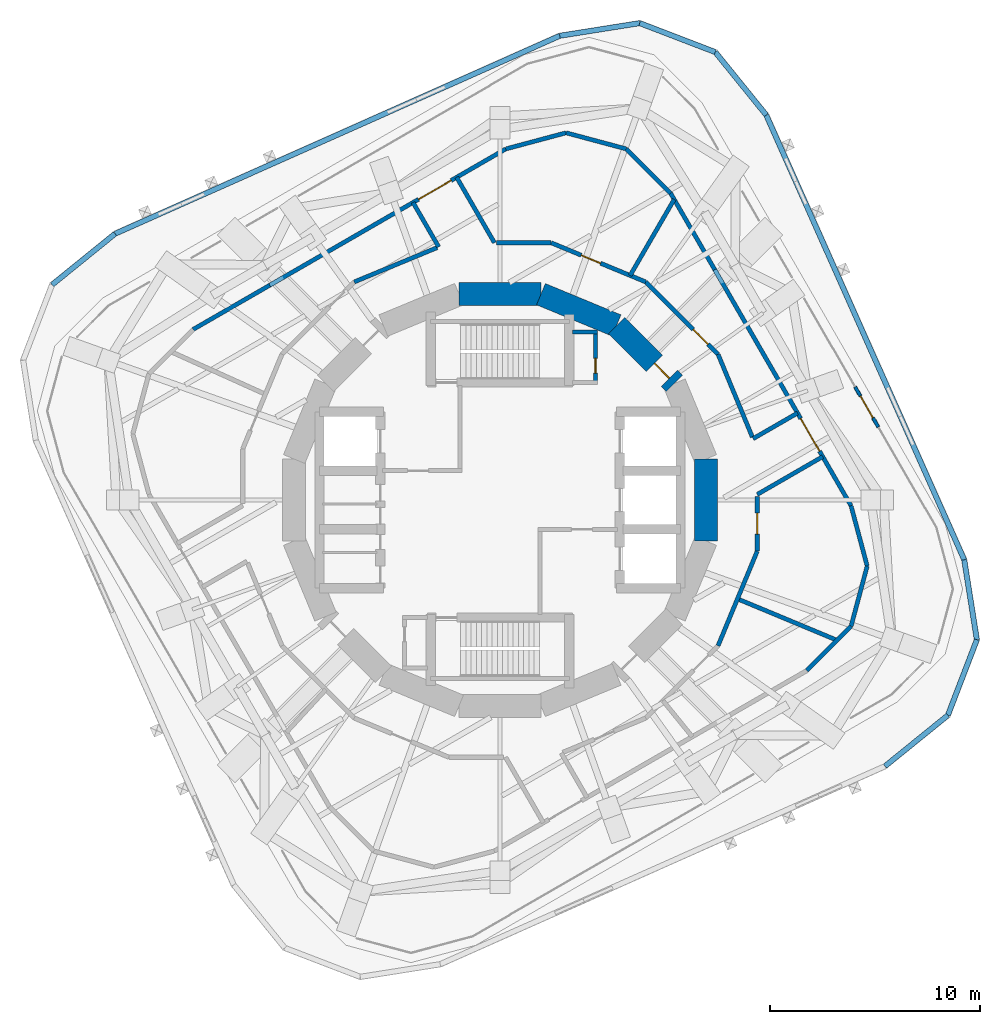
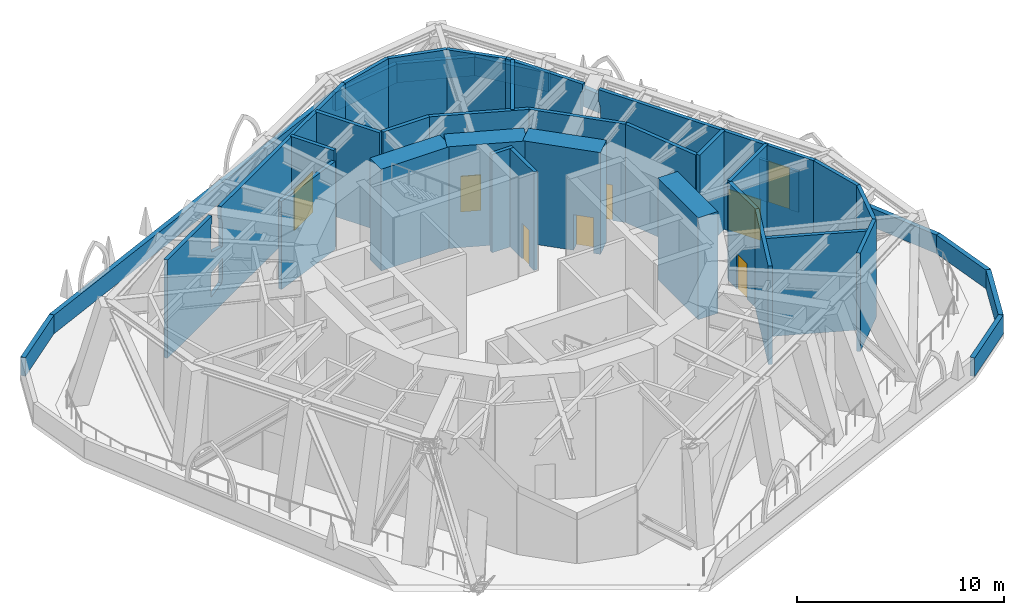
# One storey, part 6 of 10: 37 walls, 8 doors, 16 openings.
"""IFC4 building model written with IfcOpenShell, lengths in metres."""

from ifc_helpers import new_model, si_unit, direction, frame, frame_2d, origin, place, context, subcontext, project, spatial, polyline, rectangle, outline, extrude, material, layer, layer_set, type_object, element, fill, save


model = new_model("IFC4")

# Units and contexts
model_context = context("Model", 3, precision=1e-05, world=origin(), true_north=direction((0.0, 1.0)))
body_context = subcontext(model_context, "Body", "Model", "MODEL_VIEW")
ifc_project = project(units=[si_unit("LENGTHUNIT", "METRE"), si_unit("AREAUNIT", "SQUARE_METRE"), si_unit("VOLUMEUNIT", "CUBIC_METRE"), si_unit("PLANEANGLEUNIT", "RADIAN"), si_unit("MASSUNIT", "GRAM", prefix="KILO")], contexts=[model_context])

# Site, building, storey
site_placement = place(None, origin())
site = spatial("IfcSite", under=ifc_project, at=site_placement, CompositionType="ELEMENT")
building_placement = place(site_placement, origin())
building = spatial("IfcBuilding", under=site, at=building_placement, Name="Nakasero Lantern House", CompositionType="ELEMENT")
storey_placement = place(building_placement, frame((0.0, 0.0, 217.10009765625)))
storey = spatial("IfcBuildingStorey", under=building, at=storey_placement, Name="L53", CompositionType="ELEMENT", Elevation=217.10009765625)

# Wall, opening, door
ifc_material_1 = material(Name="Concrete C50/60", Category="concrete")
ifc_layer_1 = layer(ifc_material_1, 1.10009765625)
ifc_layer_set_1 = layer_set([ifc_layer_1], Name="Core wall 1100")
wall_type_1 = type_object("IfcWallType", Name="Core wall 1100", PredefinedType="SHEAR", material=ifc_layer_set_1)
wall_1_placement = place(storey_placement, frame((8.314697265625, 5.5556640625, 0.0), z_axis=(0.0, 0.0, 1.0), x_axis=(-0.707106781187, 0.707106781187, 0.0)))
wall_1 = element("IfcWall", 1, at=wall_1_placement, inside=storey, type_object=wall_type_1, Name="Core wall L53 facet 2", PredefinedType="SHEAR", context=body_context, shape_type="SweptSolid", body=[
    extrude(rectangle(XDim=3.90185546875, YDim=1.10009765625, at=frame_2d((1.950927734375, 0.0))), origin(), (0.0, 0.0, 1.0), 6.0),
])
opening_1_placement = place(wall_1_placement, frame((0.35009765625, 0.0, 0.0)))
opening_1 = element("IfcOpeningElement", 2, at=opening_1_placement, cuts=wall_1, Name="Opening D05", PredefinedType="OPENING", context=body_context, shape_type="SweptSolid", body=[
    extrude(rectangle(XDim=1.0, YDim=2.10009765625, at=frame_2d((0.5, 1.050048828125))), frame((0.0, 0.570068359375, 0.0), z_axis=(0.0, -1.0, 0.0), x_axis=(1.0, 0.0, 0.0)), (0.0, 0.0, 1.0), 1.14013671875),
])
ifc_material_2 = material(Name="Timber C24", Category="wood")
door_type_1 = type_object("IfcDoorType", Name="Core door FD60S 1000", OperationType="SINGLE_SWING_LEFT", PredefinedType="DOOR", material=ifc_material_2)
door_1_placement = place(opening_1_placement, origin())
door_1 = element("IfcDoor", 3, at=door_1_placement, inside=storey, type_object=door_type_1, Name="Door L53 D-CORE02", OperationType="SINGLE_SWING_LEFT", OverallHeight=2.10009765625, OverallWidth=1.0, PredefinedType="DOOR", context=body_context, shape_type="SweptSolid", body=[
    extrude(rectangle(XDim=1.0, YDim=2.10009765625, at=frame_2d((0.5, 1.050048828125))), frame((0.0, 0.02490234375, 0.0), z_axis=(0.0, -1.0, 0.0), x_axis=(1.0, 0.0, 0.0)), (0.0, 0.0, 1.0), 0.050048828125),
])
fill(opening_1, door_1)

# Walls
for number, where, z_axis, x_axis, name in (
    (4, (5.5556640625, 8.314697265625, 0.0), (0.0, 0.0, 1.0), (-0.923876507187, 0.382690736062, 0.0), "Core wall L53 facet 3"),
    (5, (1.950927734375, 9.807861328125, 0.0), (0.0, 0.0, 1.0), (-1.0, 0.0, 0.0), "Core wall L53 facet 4"),
    (6, (9.807861328125, -1.950927734375, 0.0), (0.0, 0.0, 1.0), (0.0, 1.0, 0.0), "Core wall L53 facet 16"),
):
    element("IfcWall", number, at=place(storey_placement, frame(where, z_axis=z_axis, x_axis=x_axis)), inside=storey, type_object=wall_type_1, Name=name, PredefinedType="SHEAR", context=body_context, shape_type="SweptSolid", body=[
        extrude(rectangle(XDim=3.90185546875, YDim=1.10009765625, at=frame_2d((1.950927734375, 0.0))), origin(), (0.0, 0.0, 1.0), 6.0),
    ])

# Wall, opening, door
ifc_material_3 = material(Name="Blockwork", Category="masonry")
ifc_layer_2 = layer(ifc_material_3, 0.199951171875)
ifc_layer_set_2 = layer_set([ifc_layer_2], Name="Corridor wall 200")
wall_type_2 = type_object("IfcWallType", Name="Corridor wall 200", PredefinedType="PARTITIONING", material=ifc_layer_set_2)
wall_2_placement = place(storey_placement, frame((12.2578125, 0.177734375, 0.0), z_axis=(0.0, 0.0, 1.0), x_axis=(0.0, -1.0, 0.0)))
wall_2 = element("IfcWall", 7, at=wall_2_placement, inside=storey, type_object=wall_type_2, Name="Corridor wall L53 TC00", PredefinedType="PARTITIONING", context=body_context, shape_type="SweptSolid", body=[
    extrude(rectangle(XDim=2.615966796875, YDim=0.199951171875, at=frame_2d((1.30810546875, 0.0))), origin(), (0.0, 0.0, 1.0), 5.7998046875),
])
opening_2_placement = place(wall_2_placement, frame((0.800048828125, 0.0, 0.0)))
opening_2 = element("IfcOpeningElement", 8, at=opening_2_placement, cuts=wall_2, Name="Opening D13", PredefinedType="OPENING", context=body_context, shape_type="SweptSolid", body=[
    extrude(rectangle(XDim=1.0, YDim=2.10009765625, at=frame_2d((0.5, 1.050048828125))), frame((0.0, 0.119873046875, 0.0), z_axis=(0.0, -1.0, 0.0), x_axis=(1.0, 0.0, 0.0)), (0.0, 0.0, 1.0), 0.239990234375),
])
ifc_material_4 = material(Name="Steel S355", Category="steel")
door_type_2 = type_object("IfcDoorType", Name="Plant room door FD60 1000", OperationType="SINGLE_SWING_LEFT", PredefinedType="DOOR", material=ifc_material_4)
door_2_placement = place(opening_2_placement, origin())
door_2 = element("IfcDoor", 9, at=door_2_placement, inside=storey, type_object=door_type_2, Name="Door L53 TDR32", OperationType="SINGLE_SWING_LEFT", OverallHeight=2.10009765625, OverallWidth=1.0, PredefinedType="DOOR", context=body_context, shape_type="SweptSolid", body=[
    extrude(rectangle(XDim=1.0, YDim=2.10009765625, at=frame_2d((0.5, 1.050048828125))), frame((0.0, 0.02490234375, 0.0), z_axis=(0.0, -1.0, 0.0), x_axis=(1.0, 0.0, 0.0)), (0.0, 0.0, 1.0), 0.050048828125),
])
fill(opening_2, door_2)

# Walls
wall_3_placement = place(storey_placement, frame((12.2578125, -2.438232421875, 0.0), z_axis=(0.0, 0.0, 1.0), x_axis=(-0.382687830351, -0.923877710793, 0.0)))
element("IfcWall", 10, at=wall_3_placement, inside=storey, type_object=wall_type_2, Name="Corridor wall L53 TC01", PredefinedType="PARTITIONING", context=body_context, shape_type="SweptSolid", body=[
    extrude(rectangle(XDim=4.876708984375, YDim=0.199951171875, at=frame_2d((2.4384765625, 0.0))), origin(), (0.0, 0.0, 1.0), 5.7998046875),
])
wall_4_placement = place(storey_placement, frame((-6.943603515625, 10.3916015625, 0.0), z_axis=(0.0, 0.0, 1.0), x_axis=(0.923866626609, 0.382714588482, 0.0)))
element("IfcWall", 11, at=wall_4_placement, inside=storey, type_object=wall_type_2, Name="Corridor wall L53 TC11", PredefinedType="PARTITIONING", context=body_context, shape_type="SweptSolid", body=[
    extrude(rectangle(XDim=4.279052734375, YDim=0.199951171875, at=frame_2d((2.1396484375, 0.0))), origin(), (0.0, 0.0, 1.0), 5.197265625),
])
wall_5_placement = place(storey_placement, frame((-0.177734375, 12.2578125, 0.0), z_axis=(0.0, 0.0, 1.0), x_axis=(1.0, 0.0, 0.0)))
element("IfcWall", 12, at=wall_5_placement, inside=storey, type_object=wall_type_2, Name="Corridor wall L53 TC12", PredefinedType="PARTITIONING", context=body_context, shape_type="SweptSolid", body=[
    extrude(rectangle(XDim=2.615966796875, YDim=0.199951171875, at=frame_2d((1.30810546875, 0.0))), origin(), (0.0, 0.0, 1.0), 5.7998046875),
])

# Wall, opening, door
wall_6_placement = place(storey_placement, frame((2.438232421875, 12.2578125, 0.0), z_axis=(0.0, 0.0, 1.0), x_axis=(0.923877710793, -0.382687830351, 0.0)))
wall_6 = element("IfcWall", 13, at=wall_6_placement, inside=storey, type_object=wall_type_2, Name="Corridor wall L53 TC13", PredefinedType="PARTITIONING", context=body_context, shape_type="SweptSolid", body=[
    extrude(rectangle(XDim=4.876708984375, YDim=0.199951171875, at=frame_2d((2.4384765625, 0.0))), origin(), (0.0, 0.0, 1.0), 5.7998046875),
])
opening_3_placement = place(wall_6_placement, frame((1.550048828125, 0.0, 0.0)))
opening_3 = element("IfcOpeningElement", 14, at=opening_3_placement, cuts=wall_6, Name="Opening D13", PredefinedType="OPENING", context=body_context, shape_type="SweptSolid", body=[
    extrude(rectangle(XDim=1.0, YDim=2.10009765625, at=frame_2d((0.5, 1.050048828125))), frame((0.0, 0.119873046875, 0.0), z_axis=(0.0, -1.0, 0.0), x_axis=(1.0, 0.0, 0.0)), (0.0, 0.0, 1.0), 0.239990234375),
])
door_3_placement = place(opening_3_placement, origin())
door_3 = element("IfcDoor", 15, at=door_3_placement, inside=storey, type_object=door_type_2, Name="Door L53 TDR01", OperationType="SINGLE_SWING_LEFT", OverallHeight=2.10009765625, OverallWidth=1.0, PredefinedType="DOOR", context=body_context, shape_type="SweptSolid", body=[
    extrude(rectangle(XDim=1.0, YDim=2.10009765625, at=frame_2d((0.5, 1.050048828125))), frame((0.0, 0.02490234375, 0.0), z_axis=(0.0, -1.0, 0.0), x_axis=(1.0, 0.0, 0.0)), (0.0, 0.0, 1.0), 0.050048828125),
])
fill(opening_3, door_3)

wall_7_placement = place(storey_placement, frame((6.943603515625, 10.3916015625, 0.0), z_axis=(0.0, 0.0, 1.0), x_axis=(0.707106781187, -0.707106781187, 0.0)))
wall_7 = element("IfcWall", 16, at=wall_7_placement, inside=storey, type_object=wall_type_2, Name="Corridor wall L53 TC14", PredefinedType="PARTITIONING", context=body_context, shape_type="SweptSolid", body=[
    extrude(rectangle(XDim=4.876220703125, YDim=0.199951171875, at=frame_2d((2.43798828125, 0.0))), origin(), (0.0, 0.0, 1.0), 5.7998046875),
])
opening_4_placement = place(wall_7_placement, frame((3.199951171875, 0.0, 0.0)))
opening_4 = element("IfcOpeningElement", 17, at=opening_4_placement, cuts=wall_7, Name="Opening D13", PredefinedType="OPENING", context=body_context, shape_type="SweptSolid", body=[
    extrude(rectangle(XDim=1.0, YDim=2.10009765625, at=frame_2d((0.5, 1.050048828125))), frame((0.0, 0.119873046875, 0.0), z_axis=(0.0, -1.0, 0.0), x_axis=(1.0, 0.0, 0.0)), (0.0, 0.0, 1.0), 0.239990234375),
])
door_4_placement = place(opening_4_placement, origin())
door_4 = element("IfcDoor", 18, at=door_4_placement, inside=storey, type_object=door_type_2, Name="Door L53 TDR00", OperationType="SINGLE_SWING_RIGHT", OverallHeight=2.10009765625, OverallWidth=1.0, PredefinedType="DOOR", context=body_context, shape_type="SweptSolid", body=[
    extrude(rectangle(XDim=1.0, YDim=2.10009765625, at=frame_2d((0.5, 1.050048828125))), frame((0.0, 0.02490234375, 0.0), z_axis=(0.0, -1.0, 0.0), x_axis=(1.0, 0.0, 0.0)), (0.0, 0.0, 1.0), 0.050048828125),
])
fill(opening_4, door_4)

# Wall
wall_8_placement = place(storey_placement, frame((10.3916015625, 6.943603515625, 0.0), z_axis=(0.0, 0.0, 1.0), x_axis=(0.382714588482, -0.923866626609, 0.0)))
element("IfcWall", 19, at=wall_8_placement, inside=storey, type_object=wall_type_2, Name="Corridor wall L53 TC15", PredefinedType="PARTITIONING", context=body_context, shape_type="SweptSolid", body=[
    extrude(rectangle(XDim=4.279052734375, YDim=0.199951171875, at=frame_2d((2.1396484375, 0.0))), origin(), (0.0, 0.0, 1.0), 5.7998046875),
])

# Wall, opening, door
ifc_material_5 = material(Name="Blockwork", Category="masonry")
ifc_layer_3 = layer(ifc_material_5, 0.199951171875)
ifc_layer_set_3 = layer_set([ifc_layer_3], Name="Fire lobby wall 200")
wall_type_3 = type_object("IfcWallType", Name="Fire lobby wall 200", PredefinedType="PARTITIONING", material=ifc_layer_set_3)
wall_9_placement = place(storey_placement, frame((4.550048828125, 5.60009765625, 0.0), z_axis=(0.0, 0.0, 1.0), x_axis=(0.0, 1.0, 0.0)))
wall_9 = element("IfcWall", 20, at=wall_9_placement, inside=storey, type_object=wall_type_3, Name="Fire lobby wall L53 W-RS1E", PredefinedType="PARTITIONING", context=body_context, shape_type="SweptSolid", body=[
    extrude(rectangle(XDim=2.39990234375, YDim=0.199951171875, at=frame_2d((1.199951171875, 0.0))), origin(), (0.0, 0.0, 1.0), 5.7998046875),
])
opening_5_placement = place(wall_9_placement, frame((0.449951171875, 0.0, 0.0)))
opening_5 = element("IfcOpeningElement", 21, at=opening_5_placement, cuts=wall_9, Name="Opening D06", PredefinedType="OPENING", context=body_context, shape_type="SweptSolid", body=[
    extrude(rectangle(XDim=0.699951171875, YDim=2.10009765625, at=frame_2d((0.35009765625, 1.050048828125))), frame((0.0, 0.119873046875, 0.0), z_axis=(0.0, -1.0, 0.0), x_axis=(1.0, 0.0, 0.0)), (0.0, 0.0, 1.0), 0.239990234375),
])
ifc_material_6 = material(Name="Steel S355", Category="steel")
door_type_3 = type_object("IfcDoorType", Name="Riser door FD60 700", OperationType="SINGLE_SWING_LEFT", PredefinedType="DOOR", material=ifc_material_6)
door_5_placement = place(opening_5_placement, origin())
door_5 = element("IfcDoor", 22, at=door_5_placement, inside=storey, type_object=door_type_3, Name="Door L53 D-RS1", OperationType="SINGLE_SWING_LEFT", OverallHeight=2.10009765625, OverallWidth=0.699951171875, PredefinedType="DOOR", context=body_context, shape_type="SweptSolid", body=[
    extrude(rectangle(XDim=0.699951171875, YDim=2.10009765625, at=frame_2d((0.35009765625, 1.050048828125))), frame((0.0, 0.02490234375, 0.0), z_axis=(0.0, -1.0, 0.0), x_axis=(1.0, 0.0, 0.0)), (0.0, 0.0, 1.0), 0.050048828125),
])
fill(opening_5, door_5)

# Walls
wall_10_placement = place(storey_placement, frame((3.449951171875, 8.0, 0.0), z_axis=(0.0, 0.0, 1.0), x_axis=(1.0, 0.0, 0.0)))
element("IfcWall", 23, at=wall_10_placement, inside=storey, type_object=wall_type_3, Name="Fire lobby wall L53 W-RS1N", PredefinedType="PARTITIONING", context=body_context, shape_type="SweptSolid", body=[
    extrude(rectangle(XDim=1.199951171875, YDim=0.199951171875, at=frame_2d((0.60009765625, 0.0))), origin(), (0.0, 0.0, 1.0), 5.7998046875),
])
wall_11_placement = place(storey_placement, frame((6.20068359375, 10.699462890625, 0.0), z_axis=(0.0, 0.0, 1.0), x_axis=(0.501397004137, 0.86521733931, 0.0)))
element("IfcWall", 24, at=wall_11_placement, inside=storey, type_object=wall_type_3, Name="Fire lobby wall L53 TD00", PredefinedType="PARTITIONING", context=body_context, shape_type="SweptSolid", body=[
    extrude(rectangle(XDim=4.18798828125, YDim=0.199951171875, at=frame_2d((2.093994140625, 0.0))), origin(), (0.0, 0.0, 1.0), 5.7998046875),
])
wall_12_placement = place(storey_placement, frame((11.31689453125, -4.7099609375, 0.0), z_axis=(0.0, 0.0, 1.0), x_axis=(0.923236972469, -0.384231040738, 0.0)))
element("IfcWall", 25, at=wall_12_placement, inside=storey, type_object=wall_type_3, Name="Fire lobby wall L53 TD31", PredefinedType="PARTITIONING", context=body_context, shape_type="SweptSolid", body=[
    extrude(rectangle(XDim=5.142333984375, YDim=0.199951171875, at=frame_2d((2.5712890625, 0.0))), origin(), (0.0, 0.0, 1.0), 5.7998046875),
])
wall_13_placement = place(storey_placement, frame((12.05810546875, 2.92041015625, 0.0), z_axis=(0.0, 0.0, 1.0), x_axis=(0.866067636663, 0.499926843373, 0.0)))
element("IfcWall", 26, at=wall_13_placement, inside=storey, type_object=wall_type_3, Name="Fire lobby wall L53 TP0L", PredefinedType="PARTITIONING", context=body_context, shape_type="SweptSolid", body=[
    extrude(rectangle(XDim=2.447021484375, YDim=0.199951171875, at=frame_2d((1.2236328125, 0.0))), origin(), (0.0, 0.0, 1.0), 5.7998046875),
])
wall_14_placement = place(storey_placement, frame((12.2578125, 0.264404296875, 0.0), z_axis=(0.0, 0.0, 1.0), x_axis=(0.866036606748, 0.499980595397, 0.0)))
element("IfcWall", 27, at=wall_14_placement, inside=storey, type_object=wall_type_3, Name="Fire lobby wall L53 TP0R", PredefinedType="PARTITIONING", context=body_context, shape_type="SweptSolid", body=[
    extrude(rectangle(XDim=3.602294921875, YDim=0.199951171875, at=frame_2d((1.80126953125, 0.0))), origin(), (0.0, 0.0, 1.0), 5.7998046875),
])
wall_15_placement = place(storey_placement, frame((-2.92041015625, 12.05810546875, 0.0), z_axis=(0.0, 0.0, 1.0), x_axis=(-0.499926843373, 0.866067636663, 0.0)))
element("IfcWall", 28, at=wall_15_placement, inside=storey, type_object=wall_type_3, Name="Fire lobby wall L53 TP1L", PredefinedType="PARTITIONING", context=body_context, shape_type="SweptSolid", body=[
    extrude(rectangle(XDim=2.447021484375, YDim=0.199951171875, at=frame_2d((1.2236328125, 0.0))), origin(), (0.0, 0.0, 1.0), 5.7998046875),
])
wall_16_placement = place(storey_placement, frame((-0.264404296875, 12.2578125, 0.0), z_axis=(0.0, 0.0, 1.0), x_axis=(-0.499980595397, 0.866036606748, 0.0)))
element("IfcWall", 29, at=wall_16_placement, inside=storey, type_object=wall_type_3, Name="Fire lobby wall L53 TP1R", PredefinedType="PARTITIONING", context=body_context, shape_type="SweptSolid", body=[
    extrude(rectangle(XDim=3.602294921875, YDim=0.199951171875, at=frame_2d((1.80126953125, 0.0))), origin(), (0.0, 0.0, 1.0), 5.7998046875),
])
ifc_material_7 = material(Name="Concrete C35/45", Category="concrete")
ifc_layer_4 = layer(ifc_material_7, 0.25)
ifc_layer_set_4 = layer_set([ifc_layer_4], Name="Parapet 250")
wall_type_4 = type_object("IfcWallType", Name="Parapet 250", PredefinedType="SOLIDWALL", material=ifc_layer_set_4)
wall_17_placement = place(storey_placement, frame((22.12109375, -2.848876953125, 0.0), z_axis=(0.0, 0.0, 1.0), x_axis=(-0.406734951338, 0.913546210851, 0.0)))
element("IfcWall", 30, at=wall_17_placement, inside=storey, type_object=wall_type_4, Name="Parapet L53 PP0S", PredefinedType="SOLIDWALL", context=body_context, shape_type="SweptSolid", body=[
    extrude(rectangle(XDim=23.199951171875, YDim=0.25, at=frame_2d((11.60009765625, 0.0))), origin(), (0.0, 0.0, 1.0), 1.099853515625),
])
for number, where, z_axis, x_axis, name in (
    (31, (12.684814453125, 18.345458984375, 0.0), (0.0, 0.0, 1.0), (-0.629285642335, 0.777174099125, 0.0), "Parapet L53 PP0C1"),
    (32, (10.258056640625, 21.342529296875, 0.0), (0.0, 0.0, 1.0), (-0.933598278948, 0.358321438858, 0.0), "Parapet L53 PP0C2"),
):
    element("IfcWall", number, at=place(storey_placement, frame(where, z_axis=z_axis, x_axis=x_axis)), inside=storey, type_object=wall_type_4, Name=name, PredefinedType="SOLIDWALL", context=body_context, shape_type="SweptSolid", body=[
        extrude(rectangle(XDim=3.8564453125, YDim=0.25, at=frame_2d((1.92822265625, 0.0))), origin(), (0.0, 0.0, 1.0), 1.099853515625),
    ])
wall_18_placement = place(storey_placement, frame((6.65771484375, 22.724365234375, 0.0), z_axis=(0.0, 0.0, 1.0), x_axis=(-0.987687906802, -0.156437203878, 0.0)))
element("IfcWall", 33, at=wall_18_placement, inside=storey, type_object=wall_type_4, Name="Parapet L53 PP0C3", PredefinedType="SOLIDWALL", context=body_context, shape_type="SweptSolid", body=[
    extrude(rectangle(XDim=3.856201171875, YDim=0.25, at=frame_2d((1.92822265625, 0.0))), origin(), (0.0, 0.0, 1.0), 1.099853515625),
])
wall_19_placement = place(storey_placement, frame((2.848876953125, 22.12109375, 0.0), z_axis=(0.0, 0.0, 1.0), x_axis=(-0.913546210851, -0.406734951338, 0.0)))
element("IfcWall", 34, at=wall_19_placement, inside=storey, type_object=wall_type_4, Name="Parapet L53 PP1S", PredefinedType="SOLIDWALL", context=body_context, shape_type="SweptSolid", body=[
    extrude(rectangle(XDim=23.199951171875, YDim=0.25, at=frame_2d((11.60009765625, 0.0))), origin(), (0.0, 0.0, 1.0), 1.099853515625),
])
for number, where, z_axis, x_axis, name in (
    (35, (-18.345458984375, 12.684814453125, 0.0), (0.0, 0.0, 1.0), (-0.777174099125, -0.629285642335, 0.0), "Parapet L53 PP1C1"),
    (36, (18.345458984375, -12.684814453125, 0.0), (0.0, 0.0, 1.0), (0.777174099125, 0.629285642335, 0.0), "Parapet L53 PP3C1"),
    (37, (21.342529296875, -10.258056640625, 0.0), (0.0, 0.0, 1.0), (0.358321438858, 0.933598278948, 0.0), "Parapet L53 PP3C2"),
):
    element("IfcWall", number, at=place(storey_placement, frame(where, z_axis=z_axis, x_axis=x_axis)), inside=storey, type_object=wall_type_4, Name=name, PredefinedType="SOLIDWALL", context=body_context, shape_type="SweptSolid", body=[
        extrude(rectangle(XDim=3.8564453125, YDim=0.25, at=frame_2d((1.92822265625, 0.0))), origin(), (0.0, 0.0, 1.0), 1.099853515625),
    ])
wall_20_placement = place(storey_placement, frame((22.724365234375, -6.65771484375, 0.0), z_axis=(0.0, 0.0, 1.0), x_axis=(-0.156437203878, 0.987687906802, 0.0)))
element("IfcWall", 38, at=wall_20_placement, inside=storey, type_object=wall_type_4, Name="Parapet L53 PP3C3", PredefinedType="SOLIDWALL", context=body_context, shape_type="SweptSolid", body=[
    extrude(rectangle(XDim=3.856201171875, YDim=0.25, at=frame_2d((1.92822265625, 0.0))), origin(), (0.0, 0.0, 1.0), 1.099853515625),
])

# Wall, openings, door
ifc_material_8 = material(Name="Aluminium louvre on blockwork", Category="masonry")
ifc_layer_5 = layer(ifc_material_8, 0.199951171875)
ifc_layer_set_5 = layer_set([ifc_layer_5], Name="Plant enclosure wall 200")
wall_type_5 = type_object("IfcWallType", Name="Plant enclosure wall 200", PredefinedType="SOLIDWALL", material=ifc_layer_set_5)
wall_21_placement = place(storey_placement, frame((16.7275390625, -0.272705078125, 0.0), z_axis=(0.0, 0.0, 1.0), x_axis=(-0.500007509209, 0.866021068297, 0.0)))
wall_21 = element("IfcWall", 39, at=wall_21_placement, inside=storey, type_object=wall_type_5, Name="Plant enclosure wall L53 0", PredefinedType="SOLIDWALL", context=body_context, shape_type="SweptSolid", body=[
    extrude(rectangle(XDim=17.199951171875, YDim=0.199951171875, at=frame_2d((8.60009765625, 0.0))), origin(), (0.0, 0.0, 1.0), 5.7998046875),
])
opening_6_placement = place(wall_21_placement, frame((3.0, 0.0, 0.0)))
opening_6 = element("IfcOpeningElement", 40, at=opening_6_placement, cuts=wall_21, Name="Opening D11", PredefinedType="OPENING", context=body_context, shape_type="SweptSolid", body=[
    extrude(rectangle(XDim=1.800048828125, YDim=2.39990234375, at=frame_2d((0.89990234375, 1.199951171875))), frame((0.0, 0.119873046875, 0.0), z_axis=(0.0, -1.0, 0.0), x_axis=(1.0, 0.0, 0.0)), (0.0, 0.0, 1.0), 0.239990234375),
])
opening_7_placement = place(wall_21_placement, origin())
element("IfcOpeningElement", 41, at=opening_7_placement, cuts=wall_21, Name="Penetration L53/EN0S/PEN0", PredefinedType="OPENING", context=body_context, shape_type="SweptSolid", body=[
    extrude(outline(polyline([(11.90234375, 1.875732421875), (11.90234375, 1.4609375), (11.967529296875, 1.260986328125), (12.98779296875, 1.050537109375), (12.98779296875, 1.875732421875), (11.90234375, 1.875732421875)])), frame((0.0, 0.119873046875, 0.0), z_axis=(0.0, -1.0, 0.0), x_axis=(1.0, 0.0, 0.0)), (0.0, 0.0, 1.0), 0.239990234375),
])
opening_8_placement = place(wall_21_placement, origin())
element("IfcOpeningElement", 42, at=opening_8_placement, cuts=wall_21, Name="Penetration L53/EN0S/PEN1", PredefinedType="OPENING", context=body_context, shape_type="SweptSolid", body=[
    extrude(outline(polyline([(11.90234375, 2.68115234375), (11.90234375, 1.855712890625), (12.98779296875, 1.855712890625), (12.98779296875, 2.2705078125), (12.922607421875, 2.470703125), (11.90234375, 2.68115234375)])), frame((0.0, 0.119873046875, 0.0), z_axis=(0.0, -1.0, 0.0), x_axis=(1.0, 0.0, 0.0)), (0.0, 0.0, 1.0), 0.239990234375),
])
opening_9_placement = place(wall_21_placement, origin())
element("IfcOpeningElement", 43, at=opening_9_placement, cuts=wall_21, Name="Penetration L53/EN0S/PEN2", PredefinedType="OPENING", context=body_context, shape_type="SweptSolid", body=[
    extrude(outline(polyline([(12.98779296875, 3.934814453125), (12.98779296875, 4.599609375), (11.90234375, 4.599609375), (11.90234375, 3.37939453125), (12.926025390625, 3.671875), (12.98779296875, 3.934814453125)])), frame((0.0, 0.119873046875, 0.0), z_axis=(0.0, -1.0, 0.0), x_axis=(1.0, 0.0, 0.0)), (0.0, 0.0, 1.0), 0.239990234375),
])
opening_10_placement = place(wall_21_placement, origin())
element("IfcOpeningElement", 44, at=opening_10_placement, cuts=wall_21, Name="Penetration L53/EN0S/PEN3", PredefinedType="OPENING", context=body_context, shape_type="SweptSolid", body=[
    extrude(outline(polyline([(12.005859375, 5.800048828125), (12.005859375, 5.0673828125), (11.964111328125, 5.05517578125), (11.90234375, 4.79248046875), (11.90234375, 4.57958984375), (12.98779296875, 4.57958984375), (12.98779296875, 5.347900390625), (12.88427734375, 5.318359375), (12.88427734375, 5.800048828125), (12.005859375, 5.800048828125)])), frame((0.0, 0.119873046875, 0.0), z_axis=(0.0, -1.0, 0.0), x_axis=(1.0, 0.0, 0.0)), (0.0, 0.0, 1.0), 0.239990234375),
])
ifc_material_9 = material(Name="Steel S355", Category="steel")
door_type_4 = type_object("IfcDoorType", Name="Plant room doors 1800x2400", OperationType="DOUBLE_DOOR_SINGLE_SWING", PredefinedType="DOOR", material=ifc_material_9)
door_6_placement = place(opening_6_placement, origin())
door_6 = element("IfcDoor", 45, at=door_6_placement, inside=storey, type_object=door_type_4, Name="Refuge door L53 0", OperationType="DOUBLE_DOOR_SINGLE_SWING", OverallHeight=2.39990234375, OverallWidth=1.800048828125, PredefinedType="DOOR", context=body_context, shape_type="SweptSolid", body=[
    extrude(rectangle(XDim=1.800048828125, YDim=2.39990234375, at=frame_2d((0.89990234375, 1.199951171875))), frame((0.0, 0.02490234375, 0.0), z_axis=(0.0, -1.0, 0.0), x_axis=(1.0, 0.0, 0.0)), (0.0, 0.0, 1.0), 0.050048828125),
])
fill(opening_6, door_6)

# Walls
wall_22_placement = place(storey_placement, frame((8.12744140625, 14.622802734375, 0.0), z_axis=(0.0, 0.0, 1.0), x_axis=(-0.707106781187, 0.707106781187, 0.0)))
element("IfcWall", 46, at=wall_22_placement, inside=storey, type_object=wall_type_5, Name="Plant enclosure wall L53 EN0C1", PredefinedType="SOLIDWALL", context=body_context, shape_type="SweptSolid", body=[
    extrude(rectangle(XDim=2.9765625, YDim=0.199951171875, at=frame_2d((1.48828125, 0.0))), origin(), (0.0, 0.0, 1.0), 5.7998046875),
])
for number, where, z_axis, x_axis, name in (
    (47, (6.022705078125, 16.7275390625, 0.0), (0.0, 0.0, 1.0), (-0.965933406887, 0.25879075227, 0.0), "Plant enclosure wall L53 EN0C2"),
    (48, (3.147705078125, 17.497802734375, 0.0), (0.0, 0.0, 1.0), (-0.965933406887, -0.25879075227, 0.0), "Plant enclosure wall L53 EN0C3"),
):
    element("IfcWall", number, at=place(storey_placement, frame(where, z_axis=z_axis, x_axis=x_axis)), inside=storey, type_object=wall_type_5, Name=name, PredefinedType="SOLIDWALL", context=body_context, shape_type="SweptSolid", body=[
        extrude(rectangle(XDim=2.976318359375, YDim=0.199951171875, at=frame_2d((1.48828125, 0.0))), origin(), (0.0, 0.0, 1.0), 5.7998046875),
    ])

# Wall, openings, door
wall_23_placement = place(storey_placement, frame((0.272705078125, 16.7275390625, 0.0), z_axis=(0.0, 0.0, 1.0), x_axis=(-0.866021068297, -0.500007509209, 0.0)))
wall_23 = element("IfcWall", 49, at=wall_23_placement, inside=storey, type_object=wall_type_5, Name="Plant enclosure wall L53 1", PredefinedType="SOLIDWALL", context=body_context, shape_type="SweptSolid", body=[
    extrude(rectangle(XDim=17.199951171875, YDim=0.199951171875, at=frame_2d((8.60009765625, 0.0))), origin(), (0.0, 0.0, 1.0), 5.7998046875),
])
opening_11_placement = place(wall_23_placement, frame((3.0, 0.0, 0.0)))
opening_11 = element("IfcOpeningElement", 50, at=opening_11_placement, cuts=wall_23, Name="Opening D11", PredefinedType="OPENING", context=body_context, shape_type="SweptSolid", body=[
    extrude(rectangle(XDim=1.800048828125, YDim=2.39990234375, at=frame_2d((0.89990234375, 1.199951171875))), frame((0.0, 0.119873046875, 0.0), z_axis=(0.0, -1.0, 0.0), x_axis=(1.0, 0.0, 0.0)), (0.0, 0.0, 1.0), 0.239990234375),
])
opening_12_placement = place(wall_23_placement, origin())
element("IfcOpeningElement", 51, at=opening_12_placement, cuts=wall_23, Name="Penetration L53/EN1S/PEN0", PredefinedType="OPENING", context=body_context, shape_type="SweptSolid", body=[
    extrude(outline(polyline([(11.90234375, 1.875732421875), (11.90234375, 1.4609375), (11.967529296875, 1.260986328125), (12.98779296875, 1.050537109375), (12.98779296875, 1.875732421875), (11.90234375, 1.875732421875)])), frame((0.0, 0.119873046875, 0.0), z_axis=(0.0, -1.0, 0.0), x_axis=(1.0, 0.0, 0.0)), (0.0, 0.0, 1.0), 0.239990234375),
])
opening_13_placement = place(wall_23_placement, origin())
element("IfcOpeningElement", 52, at=opening_13_placement, cuts=wall_23, Name="Penetration L53/EN1S/PEN1", PredefinedType="OPENING", context=body_context, shape_type="SweptSolid", body=[
    extrude(outline(polyline([(11.90234375, 2.68115234375), (11.90234375, 1.855712890625), (12.98779296875, 1.855712890625), (12.98779296875, 2.2705078125), (12.922607421875, 2.470703125), (11.90234375, 2.68115234375)])), frame((0.0, 0.119873046875, 0.0), z_axis=(0.0, -1.0, 0.0), x_axis=(1.0, 0.0, 0.0)), (0.0, 0.0, 1.0), 0.239990234375),
])
opening_14_placement = place(wall_23_placement, origin())
element("IfcOpeningElement", 53, at=opening_14_placement, cuts=wall_23, Name="Penetration L53/EN1S/PEN2", PredefinedType="OPENING", context=body_context, shape_type="SweptSolid", body=[
    extrude(outline(polyline([(12.98779296875, 3.934814453125), (12.98779296875, 4.599609375), (11.90234375, 4.599609375), (11.90234375, 3.37939453125), (12.926025390625, 3.671875), (12.98779296875, 3.934814453125)])), frame((0.0, 0.119873046875, 0.0), z_axis=(0.0, -1.0, 0.0), x_axis=(1.0, 0.0, 0.0)), (0.0, 0.0, 1.0), 0.239990234375),
])
opening_15_placement = place(wall_23_placement, origin())
element("IfcOpeningElement", 54, at=opening_15_placement, cuts=wall_23, Name="Penetration L53/EN1S/PEN3", PredefinedType="OPENING", context=body_context, shape_type="SweptSolid", body=[
    extrude(outline(polyline([(12.005859375, 5.800048828125), (12.005859375, 5.0673828125), (11.964111328125, 5.05517578125), (11.90234375, 4.79248046875), (11.90234375, 4.57958984375), (12.98779296875, 4.57958984375), (12.98779296875, 5.347900390625), (12.88427734375, 5.318359375), (12.88427734375, 5.800048828125), (12.005859375, 5.800048828125)])), frame((0.0, 0.119873046875, 0.0), z_axis=(0.0, -1.0, 0.0), x_axis=(1.0, 0.0, 0.0)), (0.0, 0.0, 1.0), 0.239990234375),
])
door_7_placement = place(opening_11_placement, origin())
door_7 = element("IfcDoor", 55, at=door_7_placement, inside=storey, type_object=door_type_4, Name="Refuge door L53 1", OperationType="DOUBLE_DOOR_SINGLE_SWING", OverallHeight=2.39990234375, OverallWidth=1.800048828125, PredefinedType="DOOR", context=body_context, shape_type="SweptSolid", body=[
    extrude(rectangle(XDim=1.800048828125, YDim=2.39990234375, at=frame_2d((0.89990234375, 1.199951171875))), frame((0.0, 0.02490234375, 0.0), z_axis=(0.0, -1.0, 0.0), x_axis=(1.0, 0.0, 0.0)), (0.0, 0.0, 1.0), 0.050048828125),
])
fill(opening_11, door_7)

# Walls
wall_24_placement = place(storey_placement, frame((14.622802734375, -8.12744140625, 0.0), z_axis=(0.0, 0.0, 1.0), x_axis=(0.707106781187, 0.707106781187, 0.0)))
element("IfcWall", 56, at=wall_24_placement, inside=storey, type_object=wall_type_5, Name="Plant enclosure wall L53 EN3C1", PredefinedType="SOLIDWALL", context=body_context, shape_type="SweptSolid", body=[
    extrude(rectangle(XDim=2.9765625, YDim=0.199951171875, at=frame_2d((1.48828125, 0.0))), origin(), (0.0, 0.0, 1.0), 5.7998046875),
])
for number, where, z_axis, x_axis, name in (
    (57, (16.7275390625, -6.022705078125, 0.0), (0.0, 0.0, 1.0), (0.25879075227, 0.965933406887, 0.0), "Plant enclosure wall L53 EN3C2"),
    (58, (17.497802734375, -3.147705078125, 0.0), (0.0, 0.0, 1.0), (-0.25879075227, 0.965933406887, 0.0), "Plant enclosure wall L53 EN3C3"),
):
    element("IfcWall", number, at=place(storey_placement, frame(where, z_axis=z_axis, x_axis=x_axis)), inside=storey, type_object=wall_type_5, Name=name, PredefinedType="SOLIDWALL", context=body_context, shape_type="SweptSolid", body=[
        extrude(rectangle(XDim=2.976318359375, YDim=0.199951171875, at=frame_2d((1.48828125, 0.0))), origin(), (0.0, 0.0, 1.0), 5.7998046875),
    ])

# Wall, opening, door
ifc_material_10 = material(Name="Galvanised steel S355", Category="steel")
ifc_layer_6 = layer(ifc_material_10, 0.14990234375)
ifc_layer_set_6 = layer_set([ifc_layer_6], Name="Roof access gate screen 150")
wall_type_6 = type_object("IfcWallType", Name="Roof access gate screen 150", PredefinedType="SOLIDWALL", material=ifc_layer_set_6)
wall_25_placement = place(storey_placement, frame((16.925537109375, 5.384033203125, 0.0), z_axis=(0.0, 0.0, 1.0), x_axis=(0.50002983664, -0.866008176907, 0.0)))
wall_25 = element("IfcWall", 59, at=wall_25_placement, inside=storey, type_object=wall_type_6, Name="Roof access gate screen L53", PredefinedType="SOLIDWALL", context=body_context, shape_type="SweptSolid", body=[
    extrude(rectangle(XDim=2.199951171875, YDim=0.14990234375, at=frame_2d((1.10009765625, 0.0))), origin(), (0.0, 0.0, 1.0), 2.39990234375),
])
opening_16_placement = place(wall_25_placement, frame((0.5, 0.0, 0.0)))
opening_16 = element("IfcOpeningElement", 60, at=opening_16_placement, cuts=wall_25, Name="Opening D09", PredefinedType="OPENING", context=body_context, shape_type="SweptSolid", body=[
    extrude(rectangle(XDim=1.199951171875, YDim=2.39990234375, at=frame_2d((0.60009765625, 1.199951171875))), frame((0.0, 0.094970703125, 0.0), z_axis=(0.0, -1.0, 0.0), x_axis=(1.0, 0.0, 0.0)), (0.0, 0.0, 1.0), 0.18994140625),
])
ifc_material_11 = material(Name="Steel S355", Category="steel")
door_type_5 = type_object("IfcDoorType", Name="Service door 1200x2400", OperationType="SINGLE_SWING_LEFT", PredefinedType="DOOR", material=ifc_material_11)
door_8_placement = place(opening_16_placement, origin())
door_8 = element("IfcDoor", 61, at=door_8_placement, inside=storey, type_object=door_type_5, Name="Roof access door L53 GATE", OperationType="SINGLE_SWING_LEFT", OverallHeight=2.39990234375, OverallWidth=1.199951171875, PredefinedType="DOOR", context=body_context, shape_type="SweptSolid", body=[
    extrude(rectangle(XDim=1.199951171875, YDim=2.39990234375, at=frame_2d((0.60009765625, 1.199951171875))), frame((0.0, 0.02490234375, 0.0), z_axis=(0.0, -1.0, 0.0), x_axis=(1.0, 0.0, 0.0)), (0.0, 0.0, 1.0), 0.050048828125),
])
fill(opening_16, door_8)

save(model, "model.ifc")
